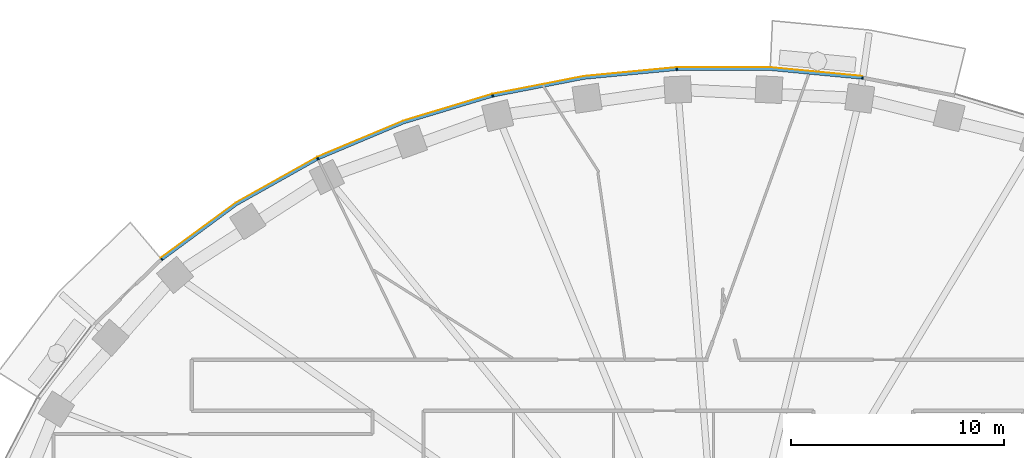
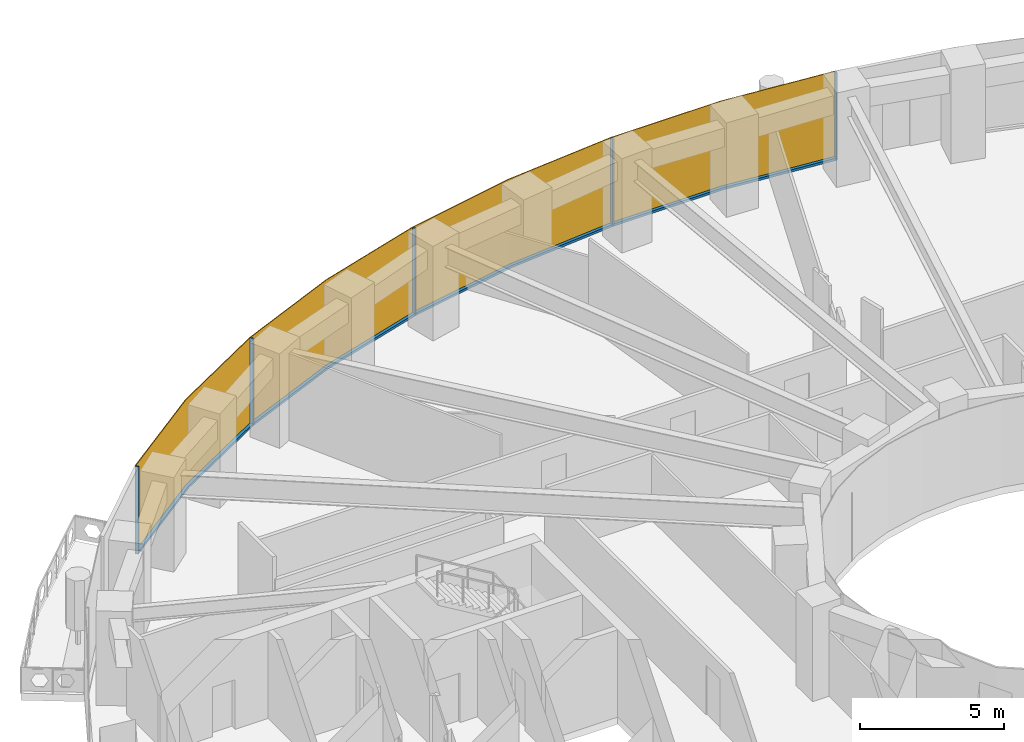
# One storey, part 11 of 16: 9 members, 1 curtain wall.
"""IFC4 building model written with IfcOpenShell, lengths in metres."""

from ifc_helpers import new_model, si_unit, direction, frame, origin, origin_2d, place, context, subcontext, project, spatial, polyline, rectangle, outline, extrude, material, layer, layer_set, material_profile, profile_set, type_object, element, aggregate, save


model = new_model("IFC4")

# Units and contexts
model_context = context("Model", 3, precision=1e-05, world=origin(), true_north=direction((0.0, 1.0)))
body_context = subcontext(model_context, "Body", "Model", "MODEL_VIEW")
ifc_project = project(units=[si_unit("LENGTHUNIT", "METRE"), si_unit("AREAUNIT", "SQUARE_METRE"), si_unit("VOLUMEUNIT", "CUBIC_METRE"), si_unit("PLANEANGLEUNIT", "RADIAN"), si_unit("MASSUNIT", "GRAM", prefix="KILO")], contexts=[model_context])

# Member
ifc_material_1 = material(Name="Aluminium 6063-T6 black anodised", Category="aluminium")
ifc_material_profile = material_profile(ifc_material_1, rectangle(XDim=0.1201171875, YDim=0.06005859375, at=origin_2d()), Name="120x60")
ifc_profile_set = profile_set([ifc_material_profile], Name="Aluminium 6063-T6 black anodised")
member_type_1 = type_object("IfcMemberType", Name="ENV-MULLION-A-120", PredefinedType="MULLION", material=ifc_profile_set)
site_placement = place(None, origin())
building_placement = place(site_placement, origin())
storey_placement = place(building_placement, frame((0.0, 0.0, 124.0)))
member_1_placement = place(storey_placement, frame((6.54638671875, 27.440185546875, 0.0), z_axis=(0.0, 0.0, 1.0), x_axis=(-0.143082012705, -0.989710835366, 0.0)))
member_1 = element("IfcMember", 1, at=member_1_placement, type_object=member_type_1, Name="Mullion A radial 11", PredefinedType="MULLION", context=body_context, shape_type="SweptSolid", body=[
    extrude(rectangle(XDim=0.1201171875, YDim=0.06005859375, at=origin_2d()), origin(), (0.0, 0.0, 1.0), 3.699951171875),
])

member_2_placement = place(storey_placement, frame((-2.188720703125, 27.856201171875, 0.0), z_axis=(0.0, 0.0, 1.0), x_axis=(0.047557873581, -0.998868484166, 0.0)))
member_2 = element("IfcMember", 2, at=member_2_placement, type_object=member_type_1, Name="Mullion A radial 13", PredefinedType="MULLION", context=body_context, shape_type="SweptSolid", body=[
    extrude(rectangle(XDim=0.1201171875, YDim=0.06005859375, at=origin_2d()), origin(), (0.0, 0.0, 1.0), 3.699951171875),
])

member_3_placement = place(storey_placement, frame((-10.84326171875, 26.60498046875, 0.0), z_axis=(0.0, 0.0, 1.0), x_axis=(0.239799081534, -0.970822538106, 0.0)))
member_3 = element("IfcMember", 3, at=member_3_placement, type_object=member_type_1, Name="Mullion A radial 15", PredefinedType="MULLION", context=body_context, shape_type="SweptSolid", body=[
    extrude(rectangle(XDim=0.1201171875, YDim=0.06005859375, at=origin_2d()), origin(), (0.0, 0.0, 1.0), 3.699951171875),
])

member_4_placement = place(storey_placement, frame((-19.06787109375, 23.6474609375, 0.0), z_axis=(0.0, 0.0, 1.0), x_axis=(0.439237769837, -0.898370848563, 0.0)))
member_4 = element("IfcMember", 4, at=member_4_placement, type_object=member_type_1, Name="Mullion A radial 17", PredefinedType="MULLION", context=body_context, shape_type="SweptSolid", body=[
    extrude(rectangle(XDim=0.1201171875, YDim=0.06005859375, at=origin_2d()), origin(), (0.0, 0.0, 1.0), 3.699951171875),
])

member_5_placement = place(storey_placement, frame((-26.403564453125, 18.9130859375, 0.0), z_axis=(0.0, 0.0, 1.0), x_axis=(0.646451313783, -0.762955240435, 0.0)))
member_5 = element("IfcMember", 5, at=member_5_placement, type_object=member_type_1, Name="Mullion A radial 19", PredefinedType="MULLION", context=body_context, shape_type="SweptSolid", body=[
    extrude(rectangle(XDim=0.1201171875, YDim=0.06005859375, at=origin_2d()), origin(), (0.0, 0.0, 1.0), 3.699951171875),
])

ifc_material_2 = material(Name="Aluminium 6063-T6 black anodised", Category="aluminium")
member_type_2 = type_object("IfcMemberType", Name="ENV-TRANSOM-A", PredefinedType="USERDEFINED", material=ifc_material_2)
member_6_placement = place(storey_placement, origin())
member_6 = element("IfcMember", 6, at=member_6_placement, type_object=member_type_2, Name="Transom A radial 11-13", ObjectType="TRANSOM", PredefinedType="USERDEFINED", context=body_context, shape_type="SweptSolid", body=[
    extrude(outline(polyline([(6.527099609375, 27.502197265625), (2.191650390625, 27.916015625), (-2.163818359375, 27.916015625), (-2.157958984375, 27.7958984375), (2.185791015625, 27.7958984375), (6.510009765625, 27.38330078125), (6.527099609375, 27.502197265625)])), origin(), (0.0, 0.0, 1.0), 0.10009765625),
])

member_7_placement = place(storey_placement, origin())
member_7 = element("IfcMember", 7, at=member_7_placement, type_object=member_type_2, Name="Transom A radial 13-15", ObjectType="TRANSOM", PredefinedType="USERDEFINED", context=body_context, shape_type="SweptSolid", body=[
    extrude(outline(polyline([(-2.219482421875, 27.913330078125), (-6.55517578125, 27.49951171875), (-10.830078125, 26.66845703125), (-10.80126953125, 26.552001953125), (-6.537841796875, 27.380615234375), (-2.2138671875, 27.793212890625), (-2.219482421875, 27.913330078125)])), origin(), (0.0, 0.0, 1.0), 0.10009765625),
])

member_8_placement = place(storey_placement, origin())
member_8 = element("IfcMember", 8, at=member_8_placement, type_object=member_type_2, Name="Transom A radial 15-17", ObjectType="TRANSOM", PredefinedType="USERDEFINED", context=body_context, shape_type="SweptSolid", body=[
    extrude(outline(polyline([(-10.884521484375, 26.655029296875), (-15.054443359375, 25.400146484375), (-19.068359375, 23.71240234375), (-19.015380859375, 23.604248046875), (-15.013916015625, 25.287109375), (-10.855712890625, 26.53857421875), (-10.884521484375, 26.655029296875)])), origin(), (0.0, 0.0, 1.0), 0.10009765625),
])

member_9_placement = place(storey_placement, origin())
member_9 = element("IfcMember", 9, at=member_9_placement, type_object=member_type_2, Name="Transom A radial 17-19", ObjectType="TRANSOM", PredefinedType="USERDEFINED", context=body_context, shape_type="SweptSolid", body=[
    extrude(outline(polyline([(-19.11865234375, 23.687744140625), (-22.9150390625, 21.556884765625), (-26.419921875, 18.975341796875), (-26.342041015625, 18.883544921875), (-22.85009765625, 21.455810546875), (-19.06591796875, 23.57958984375), (-19.11865234375, 23.687744140625)])), origin(), (0.0, 0.0, 1.0), 0.10009765625),
])

# Site, building, storey
site = spatial("IfcSite", under=ifc_project, at=site_placement, CompositionType="ELEMENT")
building = spatial("IfcBuilding", under=site, at=building_placement, Name="Noorbagh Ring Tower", CompositionType="ELEMENT")
storey = spatial("IfcBuildingStorey", under=building, at=storey_placement, Name="L28", CompositionType="ELEMENT", Elevation=124.0)

# Curtain wall
ifc_material_3 = material(Name="Glass dark tinted laminated", Category="glass")
ifc_layer = layer(ifc_material_3, 0.031982421875)
ifc_layer_set = layer_set([ifc_layer], Name="Glass dark tinted laminated")
curtain_wall_type = type_object("IfcCurtainWallType", Name="ENV-CW-A", PredefinedType="NOTDEFINED", material=ifc_layer_set)
curtain_wall_placement = place(storey_placement, origin())
curtain_wall = element("IfcCurtainWall", 10, at=curtain_wall_placement, inside=storey, type_object=curtain_wall_type, Name="Curtain wall A R11", PredefinedType="NOTDEFINED", context=body_context, shape_type="SweptSolid", body=[
    extrude(outline(polyline([(6.539794921875, 27.533203125), (2.193115234375, 27.947998046875), (-2.193115234375, 27.947998046875), (-6.559814453125, 27.53125), (-10.865234375, 26.6943359375), (-15.065185546875, 25.430419921875), (-19.108154296875, 23.730224609375), (-22.9326171875, 21.583740234375), (-26.447021484375, 18.9951171875), (-26.42626953125, 18.970703125), (-22.9150390625, 21.556884765625), (-19.093994140625, 23.701416015625), (-15.054443359375, 25.400146484375), (-10.857666015625, 26.6630859375), (-6.55517578125, 27.49951171875), (-2.191650390625, 27.916015625), (2.191650390625, 27.916015625), (6.53515625, 27.50146484375), (6.539794921875, 27.533203125)])), origin(), (0.0, 0.0, 1.0), 3.699951171875),
])

aggregate(curtain_wall, [member_1, member_2, member_3, member_4, member_5, member_6, member_7, member_8, member_9])

save(model, "model.ifc")
